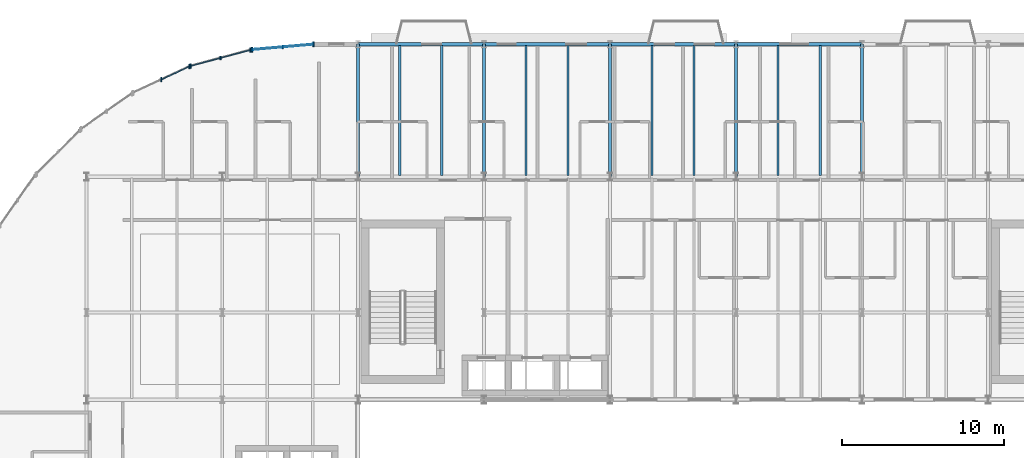
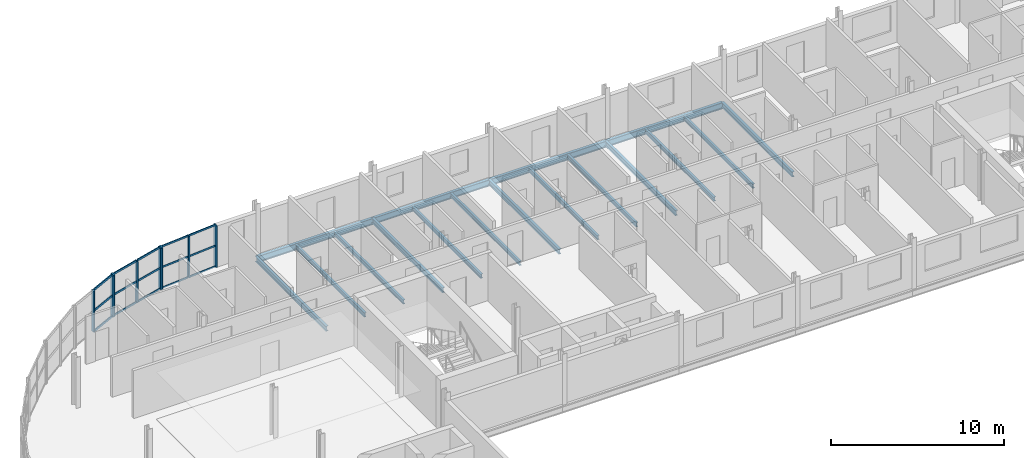
# One storey, part 8 of 30: 23 members, 17 beams, 3 elements without a shape of their own.
"""IFC4 building model written with IfcOpenShell, lengths in metres."""

import ifcopenshell
import ifcopenshell.guid

model = None  # the IFC model being written
_history = None  # IfcOwnerHistory: only IFC2X3 demands one
_inside = {}  # id of a spatial element -> (the spatial element, [elements in it])
_under = {}  # id of a project, library or spatial element -> (it, [spatial elements below it])
_declared = {}  # id of a project -> (the project, [libraries it declares])
_typed = {}  # id of a type object -> (the type object, [elements of that type])
_made_of = {}  # id of a material, layer set ... -> (it, [elements and type objects made of it])


def new_model(schema):
    """Start an empty IFC model of exactly this schema.

    Asked for "IFC4X3", IfcOpenShell would pick the latest addendum, in which some entities
    have other attributes; the version numbers below select the first issue.
    IFC2X3 requires an IfcOwnerHistory on every rooted entity: one is made here for all.
    """
    global model, _history
    if schema == "IFC4X3":
        model = ifcopenshell.file(schema_version=(4, 3, 0, 0))
    else:
        model = ifcopenshell.file(schema=schema)
    _inside.clear()
    _under.clear()
    _declared.clear()
    _typed.clear()
    _made_of.clear()
    _history = None
    if model.schema == "IFC2X3":
        org = make("IfcOrganization", Name="unknown")
        user = make(
            "IfcPersonAndOrganization",
            ThePerson=make("IfcPerson", FamilyName="unknown"),
            TheOrganization=org,
        )
        app = make(
            "IfcApplication",
            ApplicationDeveloper=org,
            Version="unknown",
            ApplicationFullName="unknown",
            ApplicationIdentifier="unknown",
        )
        _history = make(
            "IfcOwnerHistory",
            OwningUser=user,
            OwningApplication=app,
            ChangeAction="ADDED",
            CreationDate=0,
        )
    return model


def make(cls, **values):
    """One entity of the class cls with the attributes given. An attribute that is None is left unset."""
    return model.create_entity(
        cls, **{name: value for name, value in values.items() if value is not None}
    )


def rooted(cls, **values):
    """An entity with a GlobalId (a new one), such as an element, a storey or a relation."""
    return make(cls, GlobalId=ifcopenshell.guid.new(), OwnerHistory=_history, **values)


def si_unit(unit_type, name, prefix=None):
    """IfcSIUnit, for example si_unit("LENGTHUNIT", "METRE", prefix="MILLI")."""
    return make("IfcSIUnit", UnitType=unit_type, Prefix=prefix, Name=name)


def assignment(units):
    """IfcUnitAssignment: the units of a project."""
    return None if units is None else make("IfcUnitAssignment", Units=units)


def point(xyz):
    """IfcCartesianPoint."""
    return None if xyz is None else make("IfcCartesianPoint", Coordinates=xyz)


def direction(xyz):
    """IfcDirection."""
    return None if xyz is None else make("IfcDirection", DirectionRatios=xyz)


def frame(location, z_axis=None, x_axis=None):
    """IfcAxis2Placement3D, a coordinate frame: its origin and axes. An axis left out is left unset."""
    return make(
        "IfcAxis2Placement3D",
        Location=point(location),
        Axis=direction(z_axis),
        RefDirection=direction(x_axis),
    )


def frame_2d(location, x_axis=None):
    """IfcAxis2Placement2D, a coordinate frame in the plane: its origin and x axis."""
    return make(
        "IfcAxis2Placement2D", Location=point(location), RefDirection=direction(x_axis)
    )


def origin():
    """The frame at (0, 0, 0) with its axes left unset."""
    return frame((0.0, 0.0, 0.0))


def origin_2d():
    """The frame at (0, 0) in the plane with its x axis left unset."""
    return frame_2d((0.0, 0.0))


def place(relative_to, where):
    """IfcLocalPlacement: puts the frame where relative to a parent placement (None: the world)."""
    return make(
        "IfcLocalPlacement", PlacementRelTo=relative_to, RelativePlacement=where
    )


def context(
    kind, dimensions, precision=None, world=None, true_north=None, identifier=None
):
    """IfcGeometricRepresentationContext, for example the 3D "Model" context."""
    return make(
        "IfcGeometricRepresentationContext",
        ContextIdentifier=identifier,
        ContextType=kind,
        CoordinateSpaceDimension=dimensions,
        Precision=precision,
        WorldCoordinateSystem=world,
        TrueNorth=true_north,
    )


def subcontext(parent, identifier, kind, view, scale=None):
    """IfcGeometricRepresentationSubContext, for example "Body" below "Model"."""
    return make(
        "IfcGeometricRepresentationSubContext",
        ContextIdentifier=identifier,
        ContextType=kind,
        ParentContext=parent,
        TargetScale=scale,
        TargetView=view,
    )


def project(units=None, contexts=None):
    """IfcProject with its units and contexts."""
    return rooted(
        "IfcProject",
        Name="project",
        RepresentationContexts=contexts,
        UnitsInContext=assignment(units),
    )


def spatial(cls, under=None, at=None, **own):
    """A site, building, storey or space (cls), placed at a placement, below another one or the project."""
    s = rooted(cls, ObjectPlacement=at, **own)
    if under is not None:
        _under.setdefault(under.id(), (under, []))[1].append(s)
    return s


def profile(cls, at=None, kind="AREA", **sizes):
    """A parametric profile (cls). Its sizes go by their IFC names, for example OverallWidth=200.0."""
    return make(cls, ProfileType=kind, Position=at, **sizes)


def rectangle(**sizes):
    """IfcRectangleProfileDef."""
    return profile("IfcRectangleProfileDef", **sizes)


def i_section(**sizes):
    """IfcIShapeProfileDef."""
    return profile("IfcIShapeProfileDef", **sizes)


def extrude(swept, where, along, depth):
    """IfcExtrudedAreaSolid: the profile swept, set in the frame where, extruded along a direction by depth."""
    return make(
        "IfcExtrudedAreaSolid",
        SweptArea=swept,
        Position=where,
        ExtrudedDirection=direction(along),
        Depth=depth,
    )


def shape(context_of_items, identifier, shape_type, items):
    """IfcShapeRepresentation: the items that make up one representation, for example the "Body"."""
    return make(
        "IfcShapeRepresentation",
        ContextOfItems=context_of_items,
        RepresentationIdentifier=identifier,
        RepresentationType=shape_type,
        Items=items,
    )


def material(Name=None, Category=None):
    """IfcMaterial."""
    return make("IfcMaterial", Name=Name, Category=Category)


def layer(
    of_material, thickness, ventilated=None, Name=None, Category=None, Priority=None
):
    """IfcMaterialLayer: one layer of a wall or slab, of a material (None: an air gap)."""
    return make(
        "IfcMaterialLayer",
        Material=of_material,
        LayerThickness=thickness,
        IsVentilated=ventilated,
        Name=Name,
        Category=Category,
        Priority=Priority,
    )


def layer_set(layers, Name=None):
    """IfcMaterialLayerSet."""
    return make("IfcMaterialLayerSet", MaterialLayers=layers, LayerSetName=Name)


def material_profile(
    of_material, cross_section, Name=None, Category=None, Priority=None
):
    """IfcMaterialProfile: a cross section and its material."""
    return make(
        "IfcMaterialProfile",
        Name=Name,
        Material=of_material,
        Profile=cross_section,
        Priority=Priority,
        Category=Category,
    )


def profile_set(profiles, Name=None, composite=None):
    """IfcMaterialProfileSet."""
    return make(
        "IfcMaterialProfileSet",
        Name=Name,
        MaterialProfiles=profiles,
        CompositeProfile=composite,
    )


def made_of(thing, what):
    """Note that an element or type object is made of a material, layer set ...; save() writes the relation."""
    if what is not None:
        _made_of.setdefault(what.id(), (what, []))[1].append(thing)
    return thing


def type_object(cls, material=None, **own):
    """A type object (cls), such as IfcWallType, which elements share."""
    return made_of(rooted(cls, **own), material)


def element(
    cls,
    number,
    at=None,
    inside=None,
    cuts=None,
    type_object=None,
    material=None,
    context=None,
    identifier="Body",
    shape_type=None,
    held_by="IfcProductDefinitionShape",
    body=None,
    shapes=None,
    **own,
):
    """One element of the class cls, such as IfcWall. Its Tag is "e" and its number.

    at: its placement. inside: the storey or other place that contains it. cuts: it is an
    opening in that element (IfcRelVoidsElement). A single representation is given by context,
    identifier, shape_type and body (its items); several are given by shapes. held_by: the class
    of the entity that holds the representations. save() writes the other relations.
    """
    e = rooted(cls, Tag="e%d" % number, ObjectPlacement=at, **own)
    if body is not None:
        shapes = [shape(context, identifier, shape_type, body)]
    if shapes is not None:
        e.Representation = make(held_by, Representations=shapes)
    if inside is not None:
        _inside.setdefault(inside.id(), (inside, []))[1].append(e)
    if cuts is not None:
        rooted(
            "IfcRelVoidsElement", RelatingBuildingElement=cuts, RelatedOpeningElement=e
        )
    if type_object is not None:
        _typed.setdefault(type_object.id(), (type_object, []))[1].append(e)
    return made_of(e, material)


def aggregate(whole, parts):
    """IfcRelAggregates: a whole, such as a stair, and the parts it consists of."""
    return rooted("IfcRelAggregates", RelatingObject=whole, RelatedObjects=parts)


def save(model, path):
    """Write the relations noted so far, then the file.

    IfcRelAggregates (storeys below a building ...), IfcRelContainedInSpatialStructure (elements
    in a storey), IfcRelDefinesByType, IfcRelAssociatesMaterial and IfcRelDeclares: one each for
    every whole, place, type object, material and project.
    """
    for whole, parts in _under.values():
        aggregate(whole, parts)
    for where, things in _inside.values():
        rooted(
            "IfcRelContainedInSpatialStructure",
            RelatedElements=things,
            RelatingStructure=where,
        )
    for kind, things in _typed.values():
        rooted("IfcRelDefinesByType", RelatedObjects=things, RelatingType=kind)
    for what, things in _made_of.values():
        rooted("IfcRelAssociatesMaterial", RelatedObjects=things, RelatingMaterial=what)
    for by, libraries in _declared.values():
        rooted("IfcRelDeclares", RelatingContext=by, RelatedDefinitions=libraries)
    model.write(path)


model = new_model("IFC4")

# Units and contexts
model_context = context("Model", 3, precision=1e-05, world=origin(), true_north=direction((0.0, 1.0)))
body_context = subcontext(model_context, "Body", "Model", "MODEL_VIEW")
ifc_project = project(units=[si_unit("LENGTHUNIT", "METRE"), si_unit("AREAUNIT", "SQUARE_METRE"), si_unit("VOLUMEUNIT", "CUBIC_METRE"), si_unit("PLANEANGLEUNIT", "RADIAN"), si_unit("MASSUNIT", "GRAM", prefix="KILO")], contexts=[model_context])

# Site, building, storey
site_placement = place(None, origin())
site = spatial("IfcSite", under=ifc_project, at=site_placement, CompositionType="ELEMENT")
building_placement = place(site_placement, origin())
building = spatial("IfcBuilding", under=site, at=building_placement, Name="Sefraquen Railside Congress Hotel", CompositionType="ELEMENT")
storey_placement = place(building_placement, frame((0.0, 0.0, 35.39990234375)))
storey = spatial("IfcBuildingStorey", under=building, at=storey_placement, Name="L08", CompositionType="ELEMENT", Elevation=35.39990234375)

# Beams
ifc_material_1 = material(Name="Steel S355JR", Category="steel")
ifc_material_profile_1 = material_profile(ifc_material_1, i_section(OverallWidth=0.169921875, OverallDepth=0.360107421875, WebThickness=0.008056640625, FlangeThickness=0.0126953125, FilletRadius=0.01806640625, at=origin_2d()), Name="IPE 360")
ifc_profile_set_1 = profile_set([ifc_material_profile_1], Name="Steel S355JR")
beam_type_1 = type_object("IfcBeamType", Name="TB-BM-360", PredefinedType="BEAM", material=ifc_profile_set_1)
for number, where, z_axis, x_axis, name in (
    (1, (25.199951171875, 109.800048828125, -0.419921875), (0.0, 1.0, 0.0), (-1.0, 0.0, 0.0), "Floor beam BM-L08-1912"),
    (2, (33.0, 109.800048828125, -0.419921875), (0.0, 1.0, 0.0), (-1.0, 0.0, 0.0), "Floor beam BM-L08-1915"),
    (3, (40.800048828125, 109.800048828125, -0.419921875), (0.0, 1.0, 0.0), (-1.0, 0.0, 0.0), "Floor beam BM-L08-1918"),
    (4, (48.60009765625, 109.800048828125, -0.419921875), (0.0, 1.0, 0.0), (-1.0, 0.0, 0.0), "Floor beam BM-L08-1921"),
    (5, (56.39990234375, 109.800048828125, -0.419921875), (0.0, 1.0, 0.0), (-1.0, 0.0, 0.0), "Floor beam BM-L08-1924"),
):
    element("IfcBeam", number, at=place(storey_placement, frame(where, z_axis=z_axis, x_axis=x_axis)), inside=storey, type_object=beam_type_1, Name=name, PredefinedType="BEAM", context=body_context, shape_type="SweptSolid", body=[
        extrude(i_section(OverallWidth=0.169921875, OverallDepth=0.360107421875, WebThickness=0.008056640625, FlangeThickness=0.0126953125, FilletRadius=0.01806640625, at=origin_2d()), origin(), (0.0, 0.0, 1.0), 8.199951171875),
    ])
ifc_material_profile_2 = material_profile(ifc_material_1, i_section(OverallWidth=0.18994140625, OverallDepth=0.449951171875, WebThickness=0.009521484375, FlangeThickness=0.0146484375, FilletRadius=0.02099609375, at=origin_2d()), Name="IPE 450")
ifc_profile_set_2 = profile_set([ifc_material_profile_2], Name="Steel S355JR")
beam_type_2 = type_object("IfcBeamType", Name="TB-BM-450", PredefinedType="BEAM", material=ifc_profile_set_2)
for number, where, z_axis, x_axis, name in (
    (6, (25.199951171875, 118.0, -0.46484375), (1.0, 0.0, 0.0), (0.0, 1.0, 0.0), "Primary girder BM-L08-1879"),
    (7, (33.0, 118.0, -0.46484375), (1.0, 0.0, 0.0), (0.0, 1.0, 0.0), "Primary girder BM-L08-1880"),
    (8, (40.800048828125, 118.0, -0.46484375), (1.0, 0.0, 0.0), (0.0, 1.0, 0.0), "Primary girder BM-L08-1881"),
):
    element("IfcBeam", number, at=place(storey_placement, frame(where, z_axis=z_axis, x_axis=x_axis)), inside=storey, type_object=beam_type_2, Name=name, PredefinedType="BEAM", context=body_context, shape_type="SweptSolid", body=[
        extrude(i_section(OverallWidth=0.18994140625, OverallDepth=0.449951171875, WebThickness=0.009521484375, FlangeThickness=0.0146484375, FilletRadius=0.02099609375, at=origin_2d()), origin(), (0.0, 0.0, 1.0), 7.800048828125),
    ])
beam_placement = place(storey_placement, frame((48.60009765625, 118.0, -0.46484375), z_axis=(1.0, 0.0, 0.0), x_axis=(0.0, 1.0, 0.0)))
element("IfcBeam", 9, at=beam_placement, inside=storey, type_object=beam_type_2, Name="Primary girder BM-L08-1882", PredefinedType="BEAM", context=body_context, shape_type="SweptSolid", body=[
    extrude(i_section(OverallWidth=0.18994140625, OverallDepth=0.449951171875, WebThickness=0.009521484375, FlangeThickness=0.0146484375, FilletRadius=0.02099609375, at=origin_2d()), origin(), (0.0, 0.0, 1.0), 7.7998046875),
])
ifc_material_profile_3 = material_profile(ifc_material_1, i_section(OverallWidth=0.14990234375, OverallDepth=0.300048828125, WebThickness=0.007080078125, FlangeThickness=0.0107421875, FilletRadius=0.014892578125, at=origin_2d()), Name="IPE 300")
ifc_profile_set_3 = profile_set([ifc_material_profile_3], Name="Steel S355JR")
beam_type_3 = type_object("IfcBeamType", Name="TB-JST-300", PredefinedType="JOIST", material=ifc_profile_set_3)
for number, where, z_axis, x_axis, name in (
    (10, (27.800048828125, 109.875, -0.389892578125), (0.0, 1.0, 0.0), (-1.0, 0.0, 0.0), "Composite floor joist BM-L08-J1260"),
    (11, (30.39990234375, 109.875, -0.389892578125), (0.0, 1.0, 0.0), (-1.0, 0.0, 0.0), "Composite floor joist BM-L08-J1261"),
    (12, (35.60009765625, 109.875, -0.389892578125), (0.0, 1.0, 0.0), (-1.0, 0.0, 0.0), "Composite floor joist BM-L08-J1266"),
    (13, (38.199951171875, 109.875, -0.389892578125), (0.0, 1.0, 0.0), (-1.0, 0.0, 0.0), "Composite floor joist BM-L08-J1267"),
    (14, (43.39990234375, 109.875, -0.389892578125), (0.0, 1.0, 0.0), (-1.0, 0.0, 0.0), "Composite floor joist BM-L08-J1272"),
    (15, (46.0, 109.875, -0.389892578125), (0.0, 1.0, 0.0), (-1.0, 0.0, 0.0), "Composite floor joist BM-L08-J1273"),
    (16, (51.199951171875, 109.875, -0.389892578125), (0.0, 1.0, 0.0), (-1.0, 0.0, 0.0), "Composite floor joist BM-L08-J1278"),
    (17, (53.800048828125, 109.875, -0.389892578125), (0.0, 1.0, 0.0), (-1.0, 0.0, 0.0), "Composite floor joist BM-L08-J1279"),
):
    element("IfcBeam", number, at=place(storey_placement, frame(where, z_axis=z_axis, x_axis=x_axis)), inside=storey, type_object=beam_type_3, Name=name, PredefinedType="JOIST", context=body_context, shape_type="SweptSolid", body=[
        extrude(i_section(OverallWidth=0.14990234375, OverallDepth=0.300048828125, WebThickness=0.007080078125, FlangeThickness=0.0107421875, FilletRadius=0.014892578125, at=origin_2d()), origin(), (0.0, 0.0, 1.0), 8.050048828125),
    ])

# Curtain wall, member
ifc_material_2 = material(Name="Thermally broken anodised aluminium and low-E double glazing", Category="aluminium")
ifc_layer_1 = layer(ifc_material_2, 0.199951171875)
ifc_layer_set_1 = layer_set([ifc_layer_1], Name="Thermally broken anodised aluminium and low-E double glazing")
curtain_wall_type_1 = type_object("IfcCurtainWallType", Name="TCW-UCW-09", PredefinedType="USERDEFINED", material=ifc_layer_set_1)
curtain_wall_1_placement = place(storey_placement, origin())
curtain_wall_1 = element("IfcCurtainWall", 18, at=curtain_wall_1_placement, inside=storey, type_object=curtain_wall_type_1, Name="Rotunda L08 curved curtain wall facet 1", ObjectType="UNITISED CURTAIN WALL", PredefinedType="USERDEFINED")
ifc_material_3 = material(Name="Thermally broken anodised aluminium 6063-T6", Category="aluminium")
ifc_material_profile_4 = material_profile(ifc_material_3, rectangle(XDim=0.074951171875, YDim=0.219970703125, at=origin_2d()), Name="CWM 75x220")
ifc_profile_set_4 = profile_set([ifc_material_profile_4], Name="Thermally broken anodised aluminium 6063-T6")
member_type_1 = type_object("IfcMemberType", Name="TM-CWM-04", PredefinedType="MULLION", material=ifc_profile_set_4)
member_1_placement = place(storey_placement, frame((20.54638671875, 117.8291015625, 0.0), z_axis=(0.0, 0.0, 1.0), x_axis=(1.0, 0.0, 0.0)))
member_1 = element("IfcMember", 19, at=member_1_placement, type_object=member_type_1, Name="CW-L08-ROT-01 mullion 2", PredefinedType="MULLION", context=body_context, shape_type="SweptSolid", body=[
    extrude(rectangle(XDim=0.074951171875, YDim=0.219970703125, at=origin_2d()), origin(), (0.0, 0.0, 1.0), 2.93017578125),
])

ifc_layer_2 = layer(ifc_material_2, 0.199951171875)
ifc_layer_set_2 = layer_set([ifc_layer_2], Name="Thermally broken anodised aluminium and low-E double glazing")
curtain_wall_type_2 = type_object("IfcCurtainWallType", Name="TCW-UCW-10", PredefinedType="USERDEFINED", material=ifc_layer_set_2)
curtain_wall_2_placement = place(storey_placement, origin())
curtain_wall_2 = element("IfcCurtainWall", 20, at=curtain_wall_2_placement, inside=storey, type_object=curtain_wall_type_2, Name="Rotunda L08 curved curtain wall facet 2", ObjectType="UNITISED CURTAIN WALL", PredefinedType="USERDEFINED")
ifc_material_profile_5 = material_profile(ifc_material_3, rectangle(XDim=0.080078125, YDim=0.239990234375, at=origin_2d()), Name="CWM 80x240")
ifc_profile_set_5 = profile_set([ifc_material_profile_5], Name="Thermally broken anodised aluminium 6063-T6")
member_type_2 = type_object("IfcMemberType", Name="TM-CWM-05", PredefinedType="MULLION", material=ifc_profile_set_5)
member_2_placement = place(storey_placement, frame((16.69873046875, 117.150634765625, 0.0), z_axis=(0.0, 0.0, 1.0), x_axis=(1.0, 0.0, 0.0)))
member_2 = element("IfcMember", 21, at=member_2_placement, type_object=member_type_2, Name="CW-L08-ROT-02 mullion 2", PredefinedType="MULLION", context=body_context, shape_type="SweptSolid", body=[
    extrude(rectangle(XDim=0.080078125, YDim=0.239990234375, at=origin_2d()), origin(), (0.0, 0.0, 1.0), 2.93017578125),
])

ifc_layer_3 = layer(ifc_material_2, 0.199951171875)
ifc_layer_set_3 = layer_set([ifc_layer_3], Name="Thermally broken anodised aluminium and low-E double glazing")
curtain_wall_type_3 = type_object("IfcCurtainWallType", Name="TCW-UCW-11", PredefinedType="USERDEFINED", material=ifc_layer_set_3)
curtain_wall_3_placement = place(storey_placement, origin())
curtain_wall_3 = element("IfcCurtainWall", 22, at=curtain_wall_3_placement, inside=storey, type_object=curtain_wall_type_3, Name="Rotunda L08 curved curtain wall facet 3", ObjectType="UNITISED CURTAIN WALL", PredefinedType="USERDEFINED")
ifc_material_profile_6 = material_profile(ifc_material_3, rectangle(XDim=0.0849609375, YDim=0.260009765625, at=origin_2d()), Name="CWM 85x260")
ifc_profile_set_6 = profile_set([ifc_material_profile_6], Name="Thermally broken anodised aluminium 6063-T6")
member_type_3 = type_object("IfcMemberType", Name="TM-CWM-06", PredefinedType="MULLION", material=ifc_profile_set_6)
member_3_placement = place(storey_placement, frame((13.02734375, 115.814208984375, 0.0), z_axis=(0.0, 0.0, 1.0), x_axis=(1.0, 0.0, 0.0)))
member_3 = element("IfcMember", 23, at=member_3_placement, type_object=member_type_3, Name="CW-L08-ROT-03 mullion 2", PredefinedType="MULLION", context=body_context, shape_type="SweptSolid", body=[
    extrude(rectangle(XDim=0.0849609375, YDim=0.260009765625, at=origin_2d()), origin(), (0.0, 0.0, 1.0), 2.93017578125),
])

# Member
ifc_material_profile_7 = material_profile(ifc_material_3, rectangle(XDim=0.094970703125, YDim=0.300048828125, at=origin_2d()), Name="CWM 95x300")
ifc_profile_set_7 = profile_set([ifc_material_profile_7], Name="Thermally broken anodised aluminium 6063-T6")
member_type_4 = type_object("IfcMemberType", Name="TM-CWM-08", PredefinedType="MULLION", material=ifc_profile_set_7)
member_4_placement = place(storey_placement, frame((22.460205078125, 117.99658203125, 0.0), z_axis=(0.0, 0.0, 1.0), x_axis=(1.0, 0.0, 0.0)))
member_4 = element("IfcMember", 24, at=member_4_placement, type_object=member_type_4, Name="CW-L08-ROT-01 mullion 1", PredefinedType="MULLION", context=body_context, shape_type="SweptSolid", body=[
    extrude(rectangle(XDim=0.094970703125, YDim=0.300048828125, at=origin_2d()), origin(), (0.0, 0.0, 1.0), 2.93017578125),
])

member_5_placement = place(storey_placement, frame((18.6328125, 117.66162109375, 0.0), z_axis=(0.0, 0.0, 1.0), x_axis=(1.0, 0.0, 0.0)))
member_5 = element("IfcMember", 25, at=member_5_placement, type_object=member_type_4, Name="CW-L08-ROT-01 mullion 3", PredefinedType="MULLION", context=body_context, shape_type="SweptSolid", body=[
    extrude(rectangle(XDim=0.094970703125, YDim=0.300048828125, at=origin_2d()), origin(), (0.0, 0.0, 1.0), 2.93017578125),
])

member_6_placement = place(storey_placement, frame((18.55419921875, 117.647705078125, 0.0), z_axis=(0.0, 0.0, 1.0), x_axis=(1.0, 0.0, 0.0)))
member_6 = element("IfcMember", 26, at=member_6_placement, type_object=member_type_4, Name="CW-L08-ROT-02 mullion 1", PredefinedType="MULLION", context=body_context, shape_type="SweptSolid", body=[
    extrude(rectangle(XDim=0.094970703125, YDim=0.300048828125, at=origin_2d()), origin(), (0.0, 0.0, 1.0), 2.93017578125),
])

member_7_placement = place(storey_placement, frame((14.843017578125, 116.653564453125, 0.0), z_axis=(0.0, 0.0, 1.0), x_axis=(1.0, 0.0, 0.0)))
member_7 = element("IfcMember", 27, at=member_7_placement, type_object=member_type_4, Name="CW-L08-ROT-02 mullion 3", PredefinedType="MULLION", context=body_context, shape_type="SweptSolid", body=[
    extrude(rectangle(XDim=0.094970703125, YDim=0.300048828125, at=origin_2d()), origin(), (0.0, 0.0, 1.0), 2.93017578125),
])

member_8_placement = place(storey_placement, frame((14.768310546875, 116.626220703125, 0.0), z_axis=(0.0, 0.0, 1.0), x_axis=(1.0, 0.0, 0.0)))
member_8 = element("IfcMember", 28, at=member_8_placement, type_object=member_type_4, Name="CW-L08-ROT-03 mullion 1", PredefinedType="MULLION", context=body_context, shape_type="SweptSolid", body=[
    extrude(rectangle(XDim=0.094970703125, YDim=0.300048828125, at=origin_2d()), origin(), (0.0, 0.0, 1.0), 2.93017578125),
])

ifc_material_profile_8 = material_profile(ifc_material_3, rectangle(XDim=0.06005859375, YDim=0.1201171875, at=origin_2d()), Name="CWT 60x120")
ifc_profile_set_8 = profile_set([ifc_material_profile_8], Name="Thermally broken anodised aluminium 6063-T6")
member_type_5 = type_object("IfcMemberType", Name="TM-CWT-01", PredefinedType="USERDEFINED", material=ifc_profile_set_8)
member_9_placement = place(storey_placement, frame((22.415283203125, 117.99267578125, 0.0), z_axis=(-0.996190387898, -0.08720499447, 0.0), x_axis=(0.08720499447, -0.996190387898, 0.0)))
member_9 = element("IfcMember", 29, at=member_9_placement, type_object=member_type_5, Name="CW-L08-ROT-01 transom 1.1", ObjectType="TRANSOM", PredefinedType="USERDEFINED", context=body_context, shape_type="SweptSolid", body=[
    extrude(rectangle(XDim=0.06005859375, YDim=0.1201171875, at=origin_2d()), origin(), (0.0, 0.0, 1.0), 1.8310546875),
])

member_10_placement = place(storey_placement, frame((20.501708984375, 117.8251953125, 0.0), z_axis=(-0.996191401715, -0.087193412302, 0.0), x_axis=(0.087193412302, -0.996191401715, 0.0)))
member_10 = element("IfcMember", 30, at=member_10_placement, type_object=member_type_5, Name="CW-L08-ROT-01 transom 1.2", ObjectType="TRANSOM", PredefinedType="USERDEFINED", context=body_context, shape_type="SweptSolid", body=[
    extrude(rectangle(XDim=0.06005859375, YDim=0.1201171875, at=origin_2d()), origin(), (0.0, 0.0, 1.0), 1.831298828125),
])

member_11_placement = place(storey_placement, frame((22.415283203125, 117.99267578125, 1.465087890625), z_axis=(-0.996190387898, -0.08720499447, 0.0), x_axis=(0.08720499447, -0.996190387898, 0.0)))
member_11 = element("IfcMember", 31, at=member_11_placement, type_object=member_type_5, Name="CW-L08-ROT-01 transom 2.1", ObjectType="TRANSOM", PredefinedType="USERDEFINED", context=body_context, shape_type="SweptSolid", body=[
    extrude(rectangle(XDim=0.06005859375, YDim=0.1201171875, at=origin_2d()), origin(), (0.0, 0.0, 1.0), 1.8310546875),
])

member_12_placement = place(storey_placement, frame((20.501708984375, 117.8251953125, 1.465087890625), z_axis=(-0.996191401715, -0.087193412302, 0.0), x_axis=(0.087193412302, -0.996191401715, 0.0)))
member_12 = element("IfcMember", 32, at=member_12_placement, type_object=member_type_5, Name="CW-L08-ROT-01 transom 2.2", ObjectType="TRANSOM", PredefinedType="USERDEFINED", context=body_context, shape_type="SweptSolid", body=[
    extrude(rectangle(XDim=0.06005859375, YDim=0.1201171875, at=origin_2d()), origin(), (0.0, 0.0, 1.0), 1.831298828125),
])

member_13_placement = place(storey_placement, frame((22.415283203125, 117.99267578125, 2.93017578125), z_axis=(-0.996190387898, -0.08720499447, 0.0), x_axis=(0.08720499447, -0.996190387898, 0.0)))
member_13 = element("IfcMember", 33, at=member_13_placement, type_object=member_type_5, Name="CW-L08-ROT-01 transom 3.1", ObjectType="TRANSOM", PredefinedType="USERDEFINED", context=body_context, shape_type="SweptSolid", body=[
    extrude(rectangle(XDim=0.06005859375, YDim=0.1201171875, at=origin_2d()), origin(), (0.0, 0.0, 1.0), 1.8310546875),
])

member_14_placement = place(storey_placement, frame((20.501708984375, 117.8251953125, 2.93017578125), z_axis=(-0.996191401715, -0.087193412302, 0.0), x_axis=(0.087193412302, -0.996191401715, 0.0)))
member_14 = element("IfcMember", 34, at=member_14_placement, type_object=member_type_5, Name="CW-L08-ROT-01 transom 3.2", ObjectType="TRANSOM", PredefinedType="USERDEFINED", context=body_context, shape_type="SweptSolid", body=[
    extrude(rectangle(XDim=0.06005859375, YDim=0.1201171875, at=origin_2d()), origin(), (0.0, 0.0, 1.0), 1.831298828125),
])

aggregate(curtain_wall_1, [member_4, member_1, member_5, member_9, member_10, member_11, member_12, member_13, member_14])

ifc_material_profile_9 = material_profile(ifc_material_3, rectangle(XDim=0.06494140625, YDim=0.135009765625, at=origin_2d()), Name="CWT 65x135")
ifc_profile_set_9 = profile_set([ifc_material_profile_9], Name="Thermally broken anodised aluminium 6063-T6")
member_type_6 = type_object("IfcMemberType", Name="TM-CWT-02", PredefinedType="USERDEFINED", material=ifc_profile_set_9)
member_15_placement = place(storey_placement, frame((18.5107421875, 117.63623046875, 0.0), z_axis=(-0.965893282759, -0.25894046868, 0.0), x_axis=(0.25894046868, -0.965893282759, 0.0)))
member_15 = element("IfcMember", 35, at=member_15_placement, type_object=member_type_6, Name="CW-L08-ROT-02 transom 1.1", ObjectType="TRANSOM", PredefinedType="USERDEFINED", context=body_context, shape_type="SweptSolid", body=[
    extrude(rectangle(XDim=0.06494140625, YDim=0.135009765625, at=origin_2d()), origin(), (0.0, 0.0, 1.0), 1.8310546875),
])

member_16_placement = place(storey_placement, frame((16.6552734375, 117.138916015625, 0.0), z_axis=(-0.965926624666, -0.258816065499, 0.0), x_axis=(0.258816065499, -0.965926624666, 0.0)))
member_16 = element("IfcMember", 36, at=member_16_placement, type_object=member_type_6, Name="CW-L08-ROT-02 transom 1.2", ObjectType="TRANSOM", PredefinedType="USERDEFINED", context=body_context, shape_type="SweptSolid", body=[
    extrude(rectangle(XDim=0.06494140625, YDim=0.135009765625, at=origin_2d()), origin(), (0.0, 0.0, 1.0), 1.8310546875),
])

member_17_placement = place(storey_placement, frame((18.5107421875, 117.63623046875, 1.465087890625), z_axis=(-0.965893282759, -0.25894046868, 0.0), x_axis=(0.25894046868, -0.965893282759, 0.0)))
member_17 = element("IfcMember", 37, at=member_17_placement, type_object=member_type_6, Name="CW-L08-ROT-02 transom 2.1", ObjectType="TRANSOM", PredefinedType="USERDEFINED", context=body_context, shape_type="SweptSolid", body=[
    extrude(rectangle(XDim=0.06494140625, YDim=0.135009765625, at=origin_2d()), origin(), (0.0, 0.0, 1.0), 1.8310546875),
])

member_18_placement = place(storey_placement, frame((16.6552734375, 117.138916015625, 1.465087890625), z_axis=(-0.965926624666, -0.258816065499, 0.0), x_axis=(0.258816065499, -0.965926624666, 0.0)))
member_18 = element("IfcMember", 38, at=member_18_placement, type_object=member_type_6, Name="CW-L08-ROT-02 transom 2.2", ObjectType="TRANSOM", PredefinedType="USERDEFINED", context=body_context, shape_type="SweptSolid", body=[
    extrude(rectangle(XDim=0.06494140625, YDim=0.135009765625, at=origin_2d()), origin(), (0.0, 0.0, 1.0), 1.8310546875),
])

member_19_placement = place(storey_placement, frame((18.5107421875, 117.63623046875, 2.93017578125), z_axis=(-0.965893282759, -0.25894046868, 0.0), x_axis=(0.25894046868, -0.965893282759, 0.0)))
member_19 = element("IfcMember", 39, at=member_19_placement, type_object=member_type_6, Name="CW-L08-ROT-02 transom 3.1", ObjectType="TRANSOM", PredefinedType="USERDEFINED", context=body_context, shape_type="SweptSolid", body=[
    extrude(rectangle(XDim=0.06494140625, YDim=0.135009765625, at=origin_2d()), origin(), (0.0, 0.0, 1.0), 1.8310546875),
])

member_20_placement = place(storey_placement, frame((16.6552734375, 117.138916015625, 2.93017578125), z_axis=(-0.965926624666, -0.258816065499, 0.0), x_axis=(0.258816065499, -0.965926624666, 0.0)))
member_20 = element("IfcMember", 40, at=member_20_placement, type_object=member_type_6, Name="CW-L08-ROT-02 transom 3.2", ObjectType="TRANSOM", PredefinedType="USERDEFINED", context=body_context, shape_type="SweptSolid", body=[
    extrude(rectangle(XDim=0.06494140625, YDim=0.135009765625, at=origin_2d()), origin(), (0.0, 0.0, 1.0), 1.8310546875),
])

aggregate(curtain_wall_2, [member_6, member_2, member_7, member_15, member_16, member_17, member_18, member_19, member_20])

ifc_material_profile_10 = material_profile(ifc_material_3, rectangle(XDim=0.070068359375, YDim=0.14990234375, at=origin_2d()), Name="CWT 70x150")
ifc_profile_set_10 = profile_set([ifc_material_profile_10], Name="Thermally broken anodised aluminium 6063-T6")
member_type_7 = type_object("IfcMemberType", Name="TM-CWT-03", PredefinedType="USERDEFINED", material=ifc_profile_set_10)
member_21_placement = place(storey_placement, frame((14.727294921875, 116.607177734375, 0.0), z_axis=(-0.906309158253, -0.422615321145, 0.0), x_axis=(0.422615321145, -0.906309158253, 0.0)))
member_21 = element("IfcMember", 41, at=member_21_placement, type_object=member_type_7, Name="CW-L08-ROT-03 transom 1.1", ObjectType="TRANSOM", PredefinedType="USERDEFINED", context=body_context, shape_type="SweptSolid", body=[
    extrude(rectangle(XDim=0.070068359375, YDim=0.14990234375, at=origin_2d()), origin(), (0.0, 0.0, 1.0), 1.830810546875),
])

member_22_placement = place(storey_placement, frame((14.727294921875, 116.607177734375, 1.465087890625), z_axis=(-0.906309158253, -0.422615321145, 0.0), x_axis=(0.422615321145, -0.906309158253, 0.0)))
member_22 = element("IfcMember", 42, at=member_22_placement, type_object=member_type_7, Name="CW-L08-ROT-03 transom 2.1", ObjectType="TRANSOM", PredefinedType="USERDEFINED", context=body_context, shape_type="SweptSolid", body=[
    extrude(rectangle(XDim=0.070068359375, YDim=0.14990234375, at=origin_2d()), origin(), (0.0, 0.0, 1.0), 1.830810546875),
])

member_23_placement = place(storey_placement, frame((14.727294921875, 116.607177734375, 2.93017578125), z_axis=(-0.906309158253, -0.422615321145, 0.0), x_axis=(0.422615321145, -0.906309158253, 0.0)))
member_23 = element("IfcMember", 43, at=member_23_placement, type_object=member_type_7, Name="CW-L08-ROT-03 transom 3.1", ObjectType="TRANSOM", PredefinedType="USERDEFINED", context=body_context, shape_type="SweptSolid", body=[
    extrude(rectangle(XDim=0.070068359375, YDim=0.14990234375, at=origin_2d()), origin(), (0.0, 0.0, 1.0), 1.830810546875),
])

aggregate(curtain_wall_3, [member_8, member_3, member_21, member_22, member_23])

save(model, "model.ifc")
